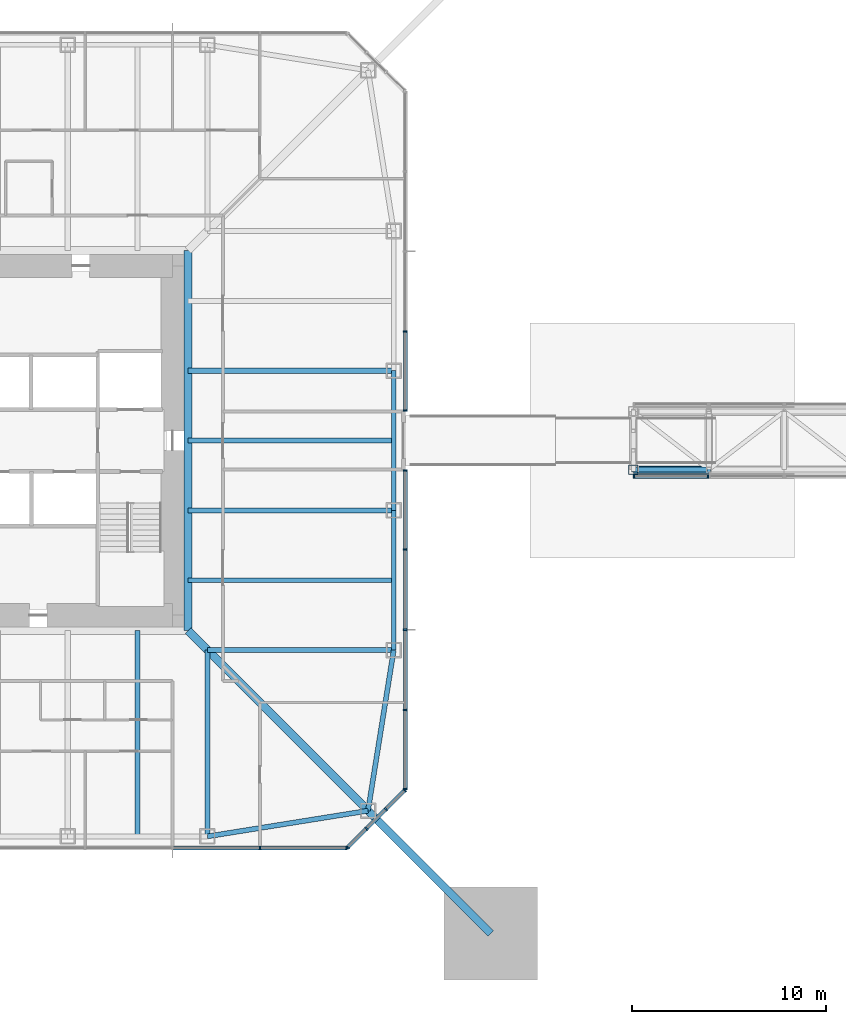
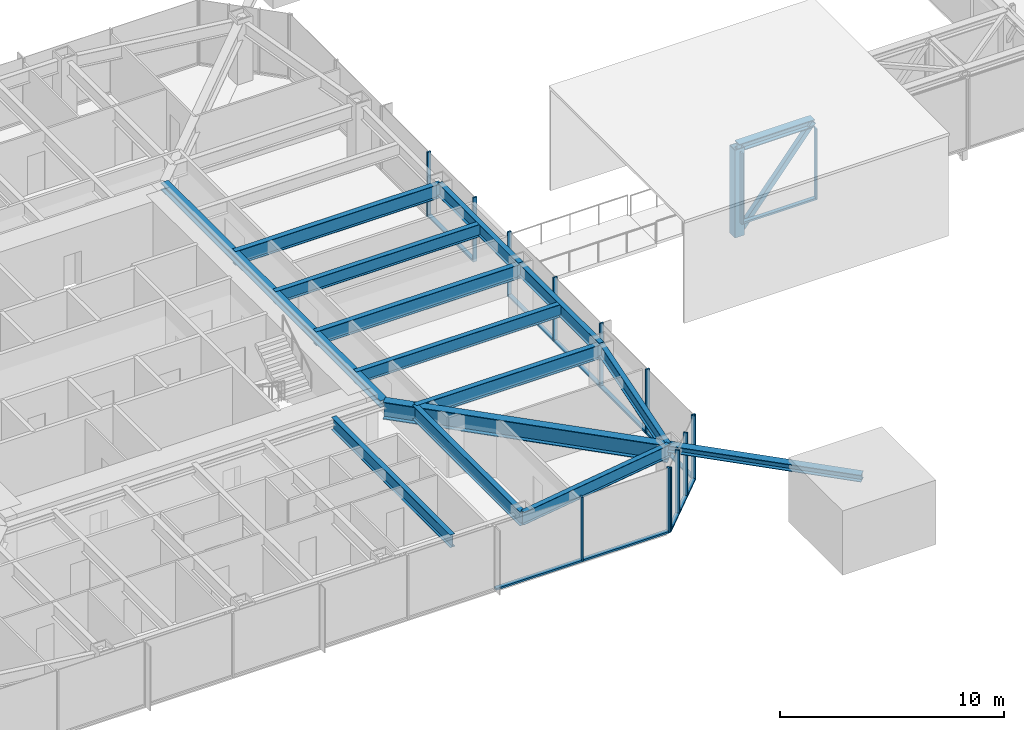
# One storey, part 5 of 23: 30 members, 13 beams, 5 elements without a shape of their own.
"""IFC4 building model written with IfcOpenShell, lengths in metres."""

from ifc_helpers import new_model, si_unit, direction, frame, origin, origin_2d, place, context, subcontext, project, spatial, rectangle, hollow_rectangle, i_section, extrude, material, material_profile, profile_set, type_object, element, aggregate, save


model = new_model("IFC4")

# Units and contexts
model_context = context("Model", 3, precision=1e-05, world=origin(), true_north=direction((0.0, 1.0)))
body_context = subcontext(model_context, "Body", "Model", "MODEL_VIEW")
ifc_project = project(units=[si_unit("LENGTHUNIT", "METRE"), si_unit("AREAUNIT", "SQUARE_METRE"), si_unit("VOLUMEUNIT", "CUBIC_METRE"), si_unit("PLANEANGLEUNIT", "RADIAN"), si_unit("MASSUNIT", "GRAM", prefix="KILO")], contexts=[model_context])

# Site, building, storey
site_placement = place(None, origin())
site = spatial("IfcSite", under=ifc_project, at=site_placement, CompositionType="ELEMENT")
building_placement = place(site_placement, origin())
building = spatial("IfcBuilding", under=site, at=building_placement, Name="Iwan Alto Co-Living Towers", CompositionType="ELEMENT")
storey_placement = place(building_placement, frame((0.0, 0.0, 129.5)))
storey = spatial("IfcBuildingStorey", under=building, at=storey_placement, Name="L35", CompositionType="ELEMENT", Elevation=129.5)

# Members
ifc_material_1 = material(Name="Steel ASTM A572 Gr 50", Category="steel")
ifc_material_profile_1 = material_profile(ifc_material_1, hollow_rectangle(XDim=0.5, YDim=0.5, WallThickness=0.031982421875, at=origin_2d()), Name="BOX 500X500X32")
ifc_profile_set_1 = profile_set([ifc_material_profile_1], Name="Steel ASTM A572 Gr 50")
member_type_1 = type_object("IfcMemberType", Name="BRIDGE END POST BOX 500X500X32", PredefinedType="POST", material=ifc_profile_set_1)
member_1_placement = place(storey_placement, frame((32.75, -1.5, -0.779052734375), z_axis=(0.0, 0.0, 1.0), x_axis=(1.0, 0.0, 0.0)))
element("IfcMember", 1, at=member_1_placement, inside=storey, type_object=member_type_1, Name="BR2 truss S end post 1", PredefinedType="POST", context=body_context, shape_type="SweptSolid", body=[
    extrude(hollow_rectangle(XDim=0.5, YDim=0.5, WallThickness=0.031982421875, at=origin_2d()), origin(), (0.0, 0.0, 1.0), 4.779052734375),
])
ifc_material_2 = material(Name="Steel ASTM A992 Gr 50", Category="steel")
ifc_material_profile_2 = material_profile(ifc_material_2, i_section(OverallWidth=0.40380859375, OverallDepth=0.406494140625, WebThickness=0.027099609375, FlangeThickness=0.043701171875, at=origin_2d()), Name="W14X233")
ifc_profile_set_2 = profile_set([ifc_material_profile_2], Name="Steel ASTM A992 Gr 50")
member_type_2 = type_object("IfcMemberType", Name="BRIDGE TRUSS CHORD W14X233", PredefinedType="CHORD", material=ifc_profile_set_2)
member_2_placement = place(storey_placement, frame((32.75, -1.5, 4.0), z_axis=(1.0, 0.0, 0.0), x_axis=(0.0, 1.0, 0.0)))
element("IfcMember", 2, at=member_2_placement, inside=storey, type_object=member_type_2, Name="BR2 truss S top chord 1", PredefinedType="CHORD", context=body_context, shape_type="SweptSolid", body=[
    extrude(i_section(OverallWidth=0.40380859375, OverallDepth=0.406494140625, WebThickness=0.027099609375, FlangeThickness=0.043701171875, at=origin_2d()), origin(), (0.0, 0.0, 1.0), 3.887451171875),
])
ifc_material_3 = material(Name="Steel ASTM A500 Gr C", Category="steel")
ifc_material_profile_3 = material_profile(ifc_material_3, hollow_rectangle(XDim=0.25390625, YDim=0.25390625, WallThickness=0.01171875, at=origin_2d()), Name="HSS10X10X1/2")
ifc_profile_set_3 = profile_set([ifc_material_profile_3], Name="Steel ASTM A500 Gr C")
member_type_3 = type_object("IfcMemberType", Name="BRIDGE TRUSS WEB HSS10X10X1/2", PredefinedType="BRACE", material=ifc_profile_set_3)
member_3_placement = place(storey_placement, frame((32.75, -1.5, -0.779052734375), z_axis=(0.631029668096, 0.0, 0.775758698297), x_axis=(0.0, 1.0, 0.0)))
element("IfcMember", 3, at=member_3_placement, inside=storey, type_object=member_type_3, Name="BR2 truss S diagonal 1", PredefinedType="BRACE", context=body_context, shape_type="SweptSolid", body=[
    extrude(hollow_rectangle(XDim=0.25390625, YDim=0.25390625, WallThickness=0.01171875, at=origin_2d()), origin(), (0.0, 0.0, 1.0), 6.160400390625),
])

# Curtain wall, members
ifc_material_4 = material(Name="Bronze aluminium unitised frame", Category="aluminium")
curtain_wall_type_1 = type_object("IfcCurtainWallType", Name="CURTAIN WALL CW-A", PredefinedType="NOTDEFINED", material=ifc_material_4)
curtain_wall_1_placement = place(storey_placement, origin())
curtain_wall_1 = element("IfcCurtainWall", 4, at=curtain_wall_1_placement, inside=storey, type_object=curtain_wall_type_1, Name="T1 curtain wall S L35", PredefinedType="NOTDEFINED")
ifc_material_5 = material(Name="Aluminium 6063-T6 bronze anodised", Category="aluminium")
ifc_material_profile_4 = material_profile(ifc_material_5, rectangle(XDim=0.199951171875, YDim=0.080078125, at=origin_2d()), Name="AL 80X200")
ifc_profile_set_4 = profile_set([ifc_material_profile_4], Name="Aluminium 6063-T6 bronze anodised")
member_type_4 = type_object("IfcMemberType", Name="CW-A MULLION 80X200", PredefinedType="MULLION", material=ifc_profile_set_4)
member_4_placement = place(storey_placement, frame((13.5, -21.0, 0.0), z_axis=(0.0, 0.0, 1.0), x_axis=(0.0, 1.0, 0.0)))
member_4 = element("IfcMember", 5, at=member_4_placement, type_object=member_type_4, Name="CW-A mullion 8", PredefinedType="MULLION", context=body_context, shape_type="SweptSolid", body=[
    extrude(rectangle(XDim=0.199951171875, YDim=0.080078125, at=origin_2d()), origin(), (0.0, 0.0, 1.0), 3.5),
])
member_5_placement = place(storey_placement, frame((17.9599609375, -21.0, 0.0), z_axis=(0.0, 0.0, 1.0), x_axis=(0.0, 1.0, 0.0)))
member_5 = element("IfcMember", 6, at=member_5_placement, type_object=member_type_4, Name="CW-A mullion 9", PredefinedType="MULLION", context=body_context, shape_type="SweptSolid", body=[
    extrude(rectangle(XDim=0.199951171875, YDim=0.080078125, at=origin_2d()), origin(), (0.0, 0.0, 1.0), 3.5),
])

curtain_wall_2_placement = place(storey_placement, origin())
curtain_wall_2 = element("IfcCurtainWall", 7, at=curtain_wall_2_placement, inside=storey, type_object=curtain_wall_type_1, Name="T1 curtain wall E L35 part 1", PredefinedType="NOTDEFINED")
member_6_placement = place(storey_placement, frame((21.0, -17.9599609375, 0.0), z_axis=(0.0, 0.0, 1.0), x_axis=(-1.0, 0.0, 0.0)))
member_6 = element("IfcMember", 8, at=member_6_placement, type_object=member_type_4, Name="CW-A mullion 1", PredefinedType="MULLION", context=body_context, shape_type="SweptSolid", body=[
    extrude(rectangle(XDim=0.199951171875, YDim=0.080078125, at=origin_2d()), origin(), (0.0, 0.0, 1.0), 3.5),
])
member_7_placement = place(storey_placement, frame((21.0, -13.875, 0.0), z_axis=(0.0, 0.0, 1.0), x_axis=(-1.0, 0.0, 0.0)))
member_7 = element("IfcMember", 9, at=member_7_placement, type_object=member_type_4, Name="CW-A mullion 2", PredefinedType="MULLION", context=body_context, shape_type="SweptSolid", body=[
    extrude(rectangle(XDim=0.199951171875, YDim=0.080078125, at=origin_2d()), origin(), (0.0, 0.0, 1.0), 3.5),
])
member_8_placement = place(storey_placement, frame((21.0, -9.75, 0.0), z_axis=(0.0, 0.0, 1.0), x_axis=(-1.0, 0.0, 0.0)))
member_8 = element("IfcMember", 10, at=member_8_placement, type_object=member_type_4, Name="CW-A mullion 3", PredefinedType="MULLION", context=body_context, shape_type="SweptSolid", body=[
    extrude(rectangle(XDim=0.199951171875, YDim=0.080078125, at=origin_2d()), origin(), (0.0, 0.0, 1.0), 3.5),
])
member_9_placement = place(storey_placement, frame((21.0, -5.625, 0.0), z_axis=(0.0, 0.0, 1.0), x_axis=(-1.0, 0.0, 0.0)))
member_9 = element("IfcMember", 11, at=member_9_placement, type_object=member_type_4, Name="CW-A mullion 4", PredefinedType="MULLION", context=body_context, shape_type="SweptSolid", body=[
    extrude(rectangle(XDim=0.199951171875, YDim=0.080078125, at=origin_2d()), origin(), (0.0, 0.0, 1.0), 3.5),
])
member_10_placement = place(storey_placement, frame((21.0, -1.5400390625, 0.0), z_axis=(0.0, 0.0, 1.0), x_axis=(-1.0, 0.0, 0.0)))
member_10 = element("IfcMember", 12, at=member_10_placement, type_object=member_type_4, Name="CW-A mullion 5", PredefinedType="MULLION", context=body_context, shape_type="SweptSolid", body=[
    extrude(rectangle(XDim=0.199951171875, YDim=0.080078125, at=origin_2d()), origin(), (0.0, 0.0, 1.0), 3.5),
])

curtain_wall_3_placement = place(storey_placement, origin())
curtain_wall_3 = element("IfcCurtainWall", 13, at=curtain_wall_3_placement, inside=storey, type_object=curtain_wall_type_1, Name="T1 curtain wall E L35 part 2", PredefinedType="NOTDEFINED")
member_11_placement = place(storey_placement, frame((21.0, 1.5400390625, 0.0), z_axis=(0.0, 0.0, 1.0), x_axis=(-1.0, 0.0, 0.0)))
member_11 = element("IfcMember", 14, at=member_11_placement, type_object=member_type_4, Name="CW-A mullion 1", PredefinedType="MULLION", context=body_context, shape_type="SweptSolid", body=[
    extrude(rectangle(XDim=0.199951171875, YDim=0.080078125, at=origin_2d()), origin(), (0.0, 0.0, 1.0), 3.5),
])
member_12_placement = place(storey_placement, frame((21.0, 5.625, 0.0), z_axis=(0.0, 0.0, 1.0), x_axis=(-1.0, 0.0, 0.0)))
member_12 = element("IfcMember", 15, at=member_12_placement, type_object=member_type_4, Name="CW-A mullion 2", PredefinedType="MULLION", context=body_context, shape_type="SweptSolid", body=[
    extrude(rectangle(XDim=0.199951171875, YDim=0.080078125, at=origin_2d()), origin(), (0.0, 0.0, 1.0), 3.5),
])

# Member
ifc_material_6 = material(Name="Aluminium 6063-T6 bronze anodised", Category="aluminium")
ifc_material_profile_5 = material_profile(ifc_material_6, rectangle(XDim=0.199951171875, YDim=0.10009765625, at=origin_2d()), Name="AL 200X100")
ifc_profile_set_5 = profile_set([ifc_material_profile_5], Name="Aluminium 6063-T6 bronze anodised")
member_type_5 = type_object("IfcMemberType", Name="CW-A TRANSOM 200X100", PredefinedType="USERDEFINED", material=ifc_profile_set_5)
member_13_placement = place(storey_placement, frame((9.0400390625, -21.0, 0.050048828125), z_axis=(1.0, 0.0, 0.0), x_axis=(0.0, 1.0, 0.0)))
member_13 = element("IfcMember", 16, at=member_13_placement, type_object=member_type_5, Name="CW-A transom 7.1", ObjectType="TRANSOM", PredefinedType="USERDEFINED", context=body_context, shape_type="SweptSolid", body=[
    extrude(rectangle(XDim=0.199951171875, YDim=0.10009765625, at=origin_2d()), origin(), (0.0, 0.0, 1.0), 4.419921875),
])

member_14_placement = place(storey_placement, frame((13.5400390625, -21.0, 0.050048828125), z_axis=(1.0, 0.0, 0.0), x_axis=(0.0, 1.0, 0.0)))
member_14 = element("IfcMember", 17, at=member_14_placement, type_object=member_type_5, Name="CW-A transom 8.1", ObjectType="TRANSOM", PredefinedType="USERDEFINED", context=body_context, shape_type="SweptSolid", body=[
    extrude(rectangle(XDim=0.199951171875, YDim=0.10009765625, at=origin_2d()), origin(), (0.0, 0.0, 1.0), 4.3798828125),
])

aggregate(curtain_wall_1, [member_4, member_5, member_13, member_14])

member_15_placement = place(storey_placement, frame((21.0, -17.919921875, 0.050048828125), z_axis=(0.0, 1.0, 0.0), x_axis=(-1.0, 0.0, 0.0)))
member_15 = element("IfcMember", 18, at=member_15_placement, type_object=member_type_5, Name="CW-A transom 1.1", ObjectType="TRANSOM", PredefinedType="USERDEFINED", context=body_context, shape_type="SweptSolid", body=[
    extrude(rectangle(XDim=0.199951171875, YDim=0.10009765625, at=origin_2d()), origin(), (0.0, 0.0, 1.0), 4.0048828125),
])

member_16_placement = place(storey_placement, frame((21.0, -13.8349609375, 0.050048828125), z_axis=(0.0, 1.0, 0.0), x_axis=(-1.0, 0.0, 0.0)))
member_16 = element("IfcMember", 19, at=member_16_placement, type_object=member_type_5, Name="CW-A transom 2.1", ObjectType="TRANSOM", PredefinedType="USERDEFINED", context=body_context, shape_type="SweptSolid", body=[
    extrude(rectangle(XDim=0.199951171875, YDim=0.10009765625, at=origin_2d()), origin(), (0.0, 0.0, 1.0), 4.044921875),
])

member_17_placement = place(storey_placement, frame((21.0, -9.7099609375, 0.050048828125), z_axis=(0.0, 1.0, 0.0), x_axis=(-1.0, 0.0, 0.0)))
member_17 = element("IfcMember", 20, at=member_17_placement, type_object=member_type_5, Name="CW-A transom 3.1", ObjectType="TRANSOM", PredefinedType="USERDEFINED", context=body_context, shape_type="SweptSolid", body=[
    extrude(rectangle(XDim=0.199951171875, YDim=0.10009765625, at=origin_2d()), origin(), (0.0, 0.0, 1.0), 4.044921875),
])

member_18_placement = place(storey_placement, frame((21.0, -5.5849609375, 0.050048828125), z_axis=(0.0, 1.0, 0.0), x_axis=(-1.0, 0.0, 0.0)))
member_18 = element("IfcMember", 21, at=member_18_placement, type_object=member_type_5, Name="CW-A transom 4.1", ObjectType="TRANSOM", PredefinedType="USERDEFINED", context=body_context, shape_type="SweptSolid", body=[
    extrude(rectangle(XDim=0.199951171875, YDim=0.10009765625, at=origin_2d()), origin(), (0.0, 0.0, 1.0), 4.0048828125),
])

aggregate(curtain_wall_2, [member_6, member_7, member_8, member_9, member_10, member_15, member_16, member_17, member_18])

member_19_placement = place(storey_placement, frame((21.0, 1.580078125, 0.050048828125), z_axis=(0.0, 1.0, 0.0), x_axis=(-1.0, 0.0, 0.0)))
member_19 = element("IfcMember", 22, at=member_19_placement, type_object=member_type_5, Name="CW-A transom 1.1", ObjectType="TRANSOM", PredefinedType="USERDEFINED", context=body_context, shape_type="SweptSolid", body=[
    extrude(rectangle(XDim=0.199951171875, YDim=0.10009765625, at=origin_2d()), origin(), (0.0, 0.0, 1.0), 4.0048828125),
])

aggregate(curtain_wall_3, [member_11, member_12, member_19])

# Curtain wall, members
ifc_material_7 = material(Name="Bronze aluminium unitised frame", Category="aluminium")
curtain_wall_type_2 = type_object("IfcCurtainWallType", Name="CURTAIN WALL CW-B", PredefinedType="NOTDEFINED", material=ifc_material_7)
curtain_wall_4_placement = place(storey_placement, origin())
curtain_wall_4 = element("IfcCurtainWall", 23, at=curtain_wall_4_placement, inside=storey, type_object=curtain_wall_type_2, Name="T1 chamfer curtain wall SE L35", PredefinedType="NOTDEFINED")
ifc_material_8 = material(Name="Aluminium 6063-T6 bronze anodised", Category="aluminium")
ifc_material_profile_6 = material_profile(ifc_material_8, rectangle(XDim=0.199951171875, YDim=0.080078125, at=origin_2d()), Name="AL 80X200")
ifc_profile_set_6 = profile_set([ifc_material_profile_6], Name="Aluminium 6063-T6 bronze anodised")
member_type_6 = type_object("IfcMemberType", Name="CW-B MULLION 80X200", PredefinedType="MULLION", material=ifc_profile_set_6)
member_20_placement = place(storey_placement, frame((18.0283203125, -20.9716796875, 0.0), z_axis=(0.0, 0.0, 1.0), x_axis=(-0.707106781187, 0.707106781187, 0.0)))
member_20 = element("IfcMember", 24, at=member_20_placement, type_object=member_type_6, Name="CW-B mullion 1", PredefinedType="MULLION", context=body_context, shape_type="SweptSolid", body=[
    extrude(rectangle(XDim=0.199951171875, YDim=0.080078125, at=origin_2d()), origin(), (0.0, 0.0, 1.0), 3.5),
])
member_21_placement = place(storey_placement, frame((19.0, -20.0, 0.0), z_axis=(0.0, 0.0, 1.0), x_axis=(-0.707106781187, 0.707106781187, 0.0)))
member_21 = element("IfcMember", 25, at=member_21_placement, type_object=member_type_6, Name="CW-B mullion 2", PredefinedType="MULLION", context=body_context, shape_type="SweptSolid", body=[
    extrude(rectangle(XDim=0.199951171875, YDim=0.080078125, at=origin_2d()), origin(), (0.0, 0.0, 1.0), 3.5),
])
member_22_placement = place(storey_placement, frame((20.0, -19.0, 0.0), z_axis=(0.0, 0.0, 1.0), x_axis=(-0.707106781187, 0.707106781187, 0.0)))
member_22 = element("IfcMember", 26, at=member_22_placement, type_object=member_type_6, Name="CW-B mullion 3", PredefinedType="MULLION", context=body_context, shape_type="SweptSolid", body=[
    extrude(rectangle(XDim=0.199951171875, YDim=0.080078125, at=origin_2d()), origin(), (0.0, 0.0, 1.0), 3.5),
])
member_23_placement = place(storey_placement, frame((20.9716796875, -18.0283203125, 0.0), z_axis=(0.0, 0.0, 1.0), x_axis=(-0.707106781187, 0.707106781187, 0.0)))
member_23 = element("IfcMember", 27, at=member_23_placement, type_object=member_type_6, Name="CW-B mullion 4", PredefinedType="MULLION", context=body_context, shape_type="SweptSolid", body=[
    extrude(rectangle(XDim=0.199951171875, YDim=0.080078125, at=origin_2d()), origin(), (0.0, 0.0, 1.0), 3.5),
])
ifc_material_9 = material(Name="Aluminium 6063-T6 bronze anodised", Category="aluminium")
ifc_material_profile_7 = material_profile(ifc_material_9, rectangle(XDim=0.199951171875, YDim=0.10009765625, at=origin_2d()), Name="AL 200X100")
ifc_profile_set_7 = profile_set([ifc_material_profile_7], Name="Aluminium 6063-T6 bronze anodised")
member_type_7 = type_object("IfcMemberType", Name="CW-B TRANSOM 200X100", PredefinedType="USERDEFINED", material=ifc_profile_set_7)
member_24_placement = place(storey_placement, frame((18.056640625, -20.943359375, 0.050048828125), z_axis=(0.707106781187, 0.707106781187, 0.0), x_axis=(-0.707106781187, 0.707106781187, 0.0)))
member_24 = element("IfcMember", 28, at=member_24_placement, type_object=member_type_7, Name="CW-B transom 1.1", ObjectType="TRANSOM", PredefinedType="USERDEFINED", context=body_context, shape_type="SweptSolid", body=[
    extrude(rectangle(XDim=0.199951171875, YDim=0.10009765625, at=origin_2d()), origin(), (0.0, 0.0, 1.0), 1.2939453125),
])
member_25_placement = place(storey_placement, frame((19.0283203125, -19.9716796875, 0.050048828125), z_axis=(0.707106781187, 0.707106781187, 0.0), x_axis=(-0.707106781187, 0.707106781187, 0.0)))
member_25 = element("IfcMember", 29, at=member_25_placement, type_object=member_type_7, Name="CW-B transom 2.1", ObjectType="TRANSOM", PredefinedType="USERDEFINED", context=body_context, shape_type="SweptSolid", body=[
    extrude(rectangle(XDim=0.199951171875, YDim=0.10009765625, at=origin_2d()), origin(), (0.0, 0.0, 1.0), 1.334228515625),
])
member_26_placement = place(storey_placement, frame((20.0283203125, -18.9716796875, 0.050048828125), z_axis=(0.707106781187, 0.707106781187, 0.0), x_axis=(-0.707106781187, 0.707106781187, 0.0)))
member_26 = element("IfcMember", 30, at=member_26_placement, type_object=member_type_7, Name="CW-B transom 3.1", ObjectType="TRANSOM", PredefinedType="USERDEFINED", context=body_context, shape_type="SweptSolid", body=[
    extrude(rectangle(XDim=0.199951171875, YDim=0.10009765625, at=origin_2d()), origin(), (0.0, 0.0, 1.0), 1.2939453125),
])
aggregate(curtain_wall_4, [member_20, member_21, member_22, member_23, member_24, member_25, member_26])

ifc_material_10 = material(Name="Bronze aluminium stick frame", Category="aluminium")
curtain_wall_type_3 = type_object("IfcCurtainWallType", Name="CURTAIN WALL CW-F", PredefinedType="NOTDEFINED", material=ifc_material_10)
curtain_wall_5_placement = place(storey_placement, origin())
curtain_wall_5 = element("IfcCurtainWall", 31, at=curtain_wall_5_placement, inside=storey, type_object=curtain_wall_type_3, Name="Skybridge BR2 glazing S 1", PredefinedType="NOTDEFINED")
ifc_material_11 = material(Name="Aluminium 6063-T6 bronze anodised", Category="aluminium")
ifc_material_profile_8 = material_profile(ifc_material_11, rectangle(XDim=0.199951171875, YDim=0.080078125, at=origin_2d()), Name="AL 80X200")
ifc_profile_set_8 = profile_set([ifc_material_profile_8], Name="Aluminium 6063-T6 bronze anodised")
member_type_8 = type_object("IfcMemberType", Name="CW-F MULLION 80X200", PredefinedType="MULLION", material=ifc_profile_set_8)
member_27_placement = place(storey_placement, frame((32.7900390625, -1.85009765625, 0.0), z_axis=(0.0, 0.0, 1.0), x_axis=(0.0, 1.0, 0.0)))
member_27 = element("IfcMember", 32, at=member_27_placement, type_object=member_type_8, Name="CW-F mullion 1", PredefinedType="MULLION", context=body_context, shape_type="SweptSolid", body=[
    extrude(rectangle(XDim=0.199951171875, YDim=0.080078125, at=origin_2d()), origin(), (0.0, 0.0, 1.0), 3.85009765625),
])
member_28_placement = place(storey_placement, frame((36.597412109375, -1.85009765625, 0.0), z_axis=(0.0, 0.0, 1.0), x_axis=(0.0, 1.0, 0.0)))
member_28 = element("IfcMember", 33, at=member_28_placement, type_object=member_type_8, Name="CW-F mullion 2", PredefinedType="MULLION", context=body_context, shape_type="SweptSolid", body=[
    extrude(rectangle(XDim=0.199951171875, YDim=0.080078125, at=origin_2d()), origin(), (0.0, 0.0, 1.0), 3.85009765625),
])
ifc_material_12 = material(Name="Aluminium 6063-T6 bronze anodised", Category="aluminium")
ifc_material_profile_9 = material_profile(ifc_material_12, rectangle(XDim=0.199951171875, YDim=0.10009765625, at=origin_2d()), Name="AL 200X100")
ifc_profile_set_9 = profile_set([ifc_material_profile_9], Name="Aluminium 6063-T6 bronze anodised")
member_type_9 = type_object("IfcMemberType", Name="CW-F TRANSOM 200X100", PredefinedType="USERDEFINED", material=ifc_profile_set_9)
member_29_placement = place(storey_placement, frame((32.830078125, -1.85009765625, 0.050048828125), z_axis=(1.0, 0.0, 0.0), x_axis=(0.0, 1.0, 0.0)))
member_29 = element("IfcMember", 34, at=member_29_placement, type_object=member_type_9, Name="CW-F transom 1.1", ObjectType="TRANSOM", PredefinedType="USERDEFINED", context=body_context, shape_type="SweptSolid", body=[
    extrude(rectangle(XDim=0.199951171875, YDim=0.10009765625, at=origin_2d()), origin(), (0.0, 0.0, 1.0), 3.7275390625),
])
aggregate(curtain_wall_5, [member_27, member_28, member_29])

# Beams
ifc_material_13 = material(Name="Steel ASTM A992 Gr 50", Category="steel")
ifc_material_profile_10 = material_profile(ifc_material_13, i_section(OverallWidth=0.398681640625, OverallDepth=0.385986328125, WebThickness=0.02099609375, FlangeThickness=0.033203125, at=origin_2d()), Name="W14X176")
ifc_profile_set_10 = profile_set([ifc_material_profile_10], Name="Steel ASTM A992 Gr 50")
beam_type_1 = type_object("IfcBeamType", Name="T1 CORE LEDGER BEAM W14X176", PredefinedType="BEAM", material=ifc_profile_set_10)
beam_1_placement = place(storey_placement, frame((9.79931640625, -9.79931640625, 3.076904296875), z_axis=(0.0, 1.0, 0.0), x_axis=(-1.0, 0.0, 0.0)))
element("IfcBeam", 35, at=beam_1_placement, inside=storey, type_object=beam_type_1, Name="T1 core ledger beam E L36", PredefinedType="BEAM", context=body_context, shape_type="SweptSolid", body=[
    extrude(i_section(OverallWidth=0.398681640625, OverallDepth=0.385986328125, WebThickness=0.02099609375, FlangeThickness=0.033203125, at=origin_2d()), origin(), (0.0, 0.0, 1.0), 19.5986328125),
])
ifc_material_14 = material(Name="Steel ASTM A992 Gr 50", Category="steel")
ifc_material_profile_11 = material_profile(ifc_material_14, i_section(OverallWidth=0.419189453125, OverallDepth=0.927001953125, WebThickness=0.019287109375, FlangeThickness=0.031982421875, at=origin_2d()), Name="W36X231")
ifc_profile_set_11 = profile_set([ifc_material_profile_11], Name="Steel ASTM A992 Gr 50")
beam_type_2 = type_object("IfcBeamType", Name="T1 CORNER GIRDER W36X231", PredefinedType="BEAM", material=ifc_profile_set_11)
beam_2_placement = place(storey_placement, frame((19.07568359375, -19.07568359375, 2.806396484375), z_axis=(-0.707106781187, 0.707106781187, 0.0), x_axis=(-0.707106781187, -0.707106781187, 0.0)))
element("IfcBeam", 36, at=beam_2_placement, inside=storey, type_object=beam_type_2, Name="T1 corner girder CSE L36", PredefinedType="BEAM", context=body_context, shape_type="SweptSolid", body=[
    extrude(i_section(OverallWidth=0.419189453125, OverallDepth=0.927001953125, WebThickness=0.019287109375, FlangeThickness=0.031982421875, at=origin_2d()), origin(), (0.0, 0.0, 1.0), 13.11865234375),
])
ifc_material_15 = material(Name="Steel ASTM A992 Gr 50", Category="steel")
ifc_material_profile_12 = material_profile(ifc_material_15, i_section(OverallWidth=0.25390625, OverallDepth=0.683349609375, WebThickness=0.012451171875, FlangeThickness=0.018798828125, at=origin_2d()), Name="W27X94")
ifc_profile_set_12 = profile_set([ifc_material_profile_12], Name="Steel ASTM A992 Gr 50")
beam_type_3 = type_object("IfcBeamType", Name="T1 EDGE BEAM W27X94", PredefinedType="BEAM", material=ifc_profile_set_12)
for number, where, z_axis, x_axis, name in (
    (37, (10.800048828125, -20.39990234375, 2.928466796875), (0.987438450439, 0.158004134737, 0.0), (-0.158004134737, 0.987438450439, 0.0), "T1 edge beam S4 L36"),
    (38, (19.07568359375, -19.07568359375, 2.928466796875), (0.158004134737, 0.987438450439, 0.0), (-0.987438450439, 0.158004134737, 0.0), "T1 edge beam CSE L36"),
):
    element("IfcBeam", number, at=place(storey_placement, frame(where, z_axis=z_axis, x_axis=x_axis)), inside=storey, type_object=beam_type_3, Name=name, PredefinedType="BEAM", context=body_context, shape_type="SweptSolid", body=[
        extrude(i_section(OverallWidth=0.25390625, OverallDepth=0.683349609375, WebThickness=0.012451171875, FlangeThickness=0.018798828125, at=origin_2d()), origin(), (0.0, 0.0, 1.0), 8.380859375),
    ])
beam_3_placement = place(storey_placement, frame((20.39990234375, -10.800048828125, 2.928466796875), z_axis=(0.0, 1.0, 0.0), x_axis=(-1.0, 0.0, 0.0)))
element("IfcBeam", 39, at=beam_3_placement, inside=storey, type_object=beam_type_3, Name="T1 edge beam E1 L36", PredefinedType="BEAM", context=body_context, shape_type="SweptSolid", body=[
    extrude(i_section(OverallWidth=0.25390625, OverallDepth=0.683349609375, WebThickness=0.012451171875, FlangeThickness=0.018798828125, at=origin_2d()), origin(), (0.0, 0.0, 1.0), 7.199951171875),
])
beam_4_placement = place(storey_placement, frame((20.39990234375, -3.60009765625, 2.928466796875), z_axis=(0.0, 1.0, 0.0), x_axis=(-1.0, 0.0, 0.0)))
element("IfcBeam", 40, at=beam_4_placement, inside=storey, type_object=beam_type_3, Name="T1 edge beam E2 L36", PredefinedType="BEAM", context=body_context, shape_type="SweptSolid", body=[
    extrude(i_section(OverallWidth=0.25390625, OverallDepth=0.683349609375, WebThickness=0.012451171875, FlangeThickness=0.018798828125, at=origin_2d()), origin(), (0.0, 0.0, 1.0), 7.2001953125),
])

# Member
ifc_material_16 = material(Name="Steel ASTM A992 Gr 50", Category="steel")
ifc_material_profile_13 = material_profile(ifc_material_16, i_section(OverallWidth=0.393798828125, OverallDepth=0.3759765625, WebThickness=0.017333984375, FlangeThickness=0.027587890625, at=origin_2d()), Name="W14X145")
ifc_profile_set_13 = profile_set([ifc_material_profile_13], Name="Steel ASTM A992 Gr 50")
member_type_10 = type_object("IfcMemberType", Name="T1 MEGA COLUMN FLOOR TIE W14X145", PredefinedType="STRUT", material=ifc_profile_set_13)
member_30_placement = place(storey_placement, frame((25.39990234375, -25.39990234375, 3.08203125), z_axis=(-0.707106781187, 0.707106781187, 0.0), x_axis=(-0.707106781187, -0.707106781187, 0.0)))
element("IfcMember", 41, at=member_30_placement, inside=storey, type_object=member_type_10, Name="T1 mega column floor tie SE L36", PredefinedType="STRUT", context=body_context, shape_type="SweptSolid", body=[
    extrude(i_section(OverallWidth=0.393798828125, OverallDepth=0.3759765625, WebThickness=0.017333984375, FlangeThickness=0.027587890625, at=origin_2d()), origin(), (0.0, 0.0, 1.0), 8.94384765625),
])

# Beams
ifc_material_17 = material(Name="Steel ASTM A992 Gr 50", Category="steel")
ifc_material_profile_14 = material_profile(ifc_material_17, i_section(OverallWidth=0.2666015625, OverallDepth=0.761962890625, WebThickness=0.014404296875, FlangeThickness=0.021484375, at=origin_2d()), Name="W30X116")
ifc_profile_set_14 = profile_set([ifc_material_profile_14], Name="Steel ASTM A992 Gr 50")
beam_type_4 = type_object("IfcBeamType", Name="T1 RADIAL BEAM W30X116", PredefinedType="BEAM", material=ifc_profile_set_14)
for number, where, z_axis, x_axis, name in (
    (42, (10.800048828125, -20.39990234375, 2.888916015625), (0.0, 1.0, 0.0), (-1.0, 0.0, 0.0), "T1 radial beam S4 L36"),
    (43, (20.39990234375, -10.800048828125, 2.888916015625), (-1.0, 0.0, 0.0), (0.0, -1.0, 0.0), "T1 radial beam E1 L36"),
):
    element("IfcBeam", number, at=place(storey_placement, frame(where, z_axis=z_axis, x_axis=x_axis)), inside=storey, type_object=beam_type_4, Name=name, PredefinedType="BEAM", context=body_context, shape_type="SweptSolid", body=[
        extrude(i_section(OverallWidth=0.2666015625, OverallDepth=0.761962890625, WebThickness=0.014404296875, FlangeThickness=0.021484375, at=origin_2d()), origin(), (0.0, 0.0, 1.0), 9.599853515625),
    ])
for number, where, z_axis, x_axis, name in (
    (44, (20.39990234375, -3.60009765625, 2.888916015625), (-1.0, 0.0, 0.0), (0.0, -1.0, 0.0), "T1 radial beam E2 L36"),
    (45, (20.39990234375, 3.60009765625, 2.888916015625), (-1.0, 0.0, 0.0), (0.0, -1.0, 0.0), "T1 radial beam E3 L36"),
):
    element("IfcBeam", number, at=place(storey_placement, frame(where, z_axis=z_axis, x_axis=x_axis)), inside=storey, type_object=beam_type_4, Name=name, PredefinedType="BEAM", context=body_context, shape_type="SweptSolid", body=[
        extrude(i_section(OverallWidth=0.2666015625, OverallDepth=0.761962890625, WebThickness=0.014404296875, FlangeThickness=0.021484375, at=origin_2d()), origin(), (0.0, 0.0, 1.0), 10.6005859375),
    ])
ifc_material_18 = material(Name="Steel ASTM A992 Gr 50", Category="steel")
ifc_material_profile_15 = material_profile(ifc_material_18, i_section(OverallWidth=0.25390625, OverallDepth=0.683349609375, WebThickness=0.012451171875, FlangeThickness=0.018798828125, at=origin_2d()), Name="W27X94")
ifc_profile_set_15 = profile_set([ifc_material_profile_15], Name="Steel ASTM A992 Gr 50")
beam_type_5 = type_object("IfcBeamType", Name="T1 SECONDARY BEAM W27X94", PredefinedType="JOIST", material=ifc_profile_set_15)
for number, where, z_axis, x_axis, name in (
    (46, (7.199951171875, -20.39990234375, 2.928466796875), (0.0, 1.0, 0.0), (-1.0, 0.0, 0.0), "T1 secondary beam S3 L36"),
    (47, (20.39990234375, -7.199951171875, 2.928466796875), (-1.0, 0.0, 0.0), (0.0, -1.0, 0.0), "T1 secondary beam E1 L36"),
    (48, (20.39990234375, 0.0, 2.928466796875), (-1.0, 0.0, 0.0), (0.0, -1.0, 0.0), "T1 secondary beam E2 L36"),
):
    element("IfcBeam", number, at=place(storey_placement, frame(where, z_axis=z_axis, x_axis=x_axis)), inside=storey, type_object=beam_type_5, Name=name, PredefinedType="JOIST", context=body_context, shape_type="SweptSolid", body=[
        extrude(i_section(OverallWidth=0.25390625, OverallDepth=0.683349609375, WebThickness=0.012451171875, FlangeThickness=0.018798828125, at=origin_2d()), origin(), (0.0, 0.0, 1.0), 10.6005859375),
    ])

save(model, "model.ifc")
